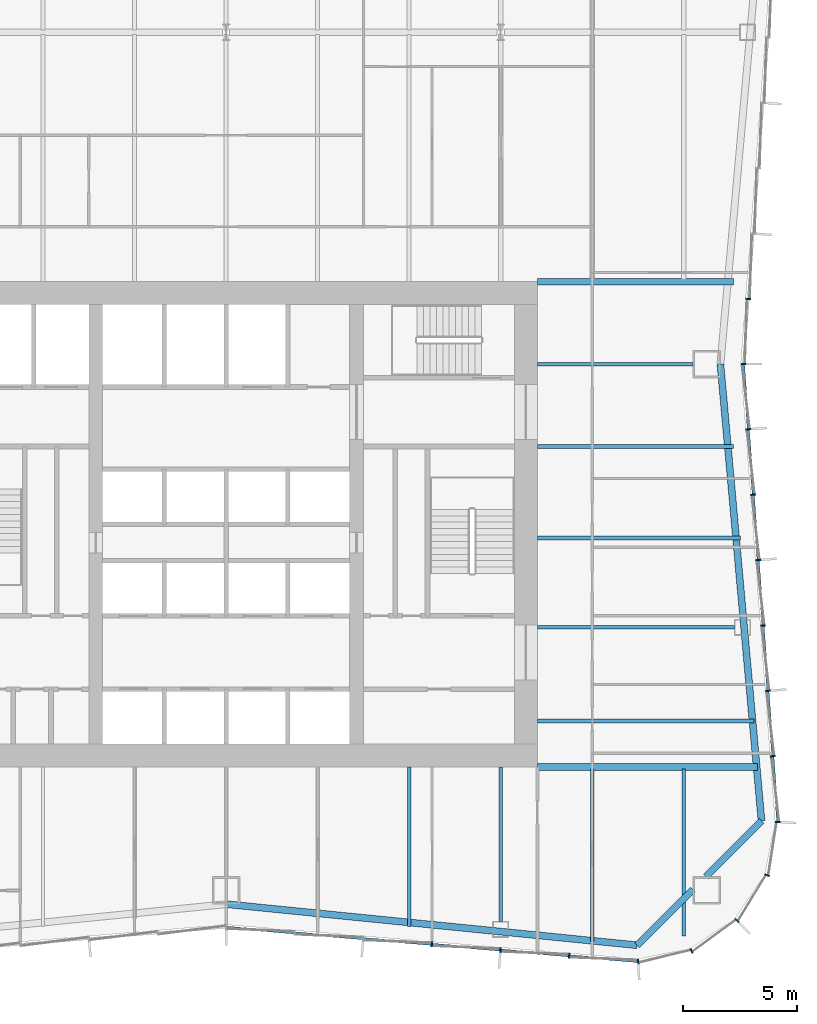
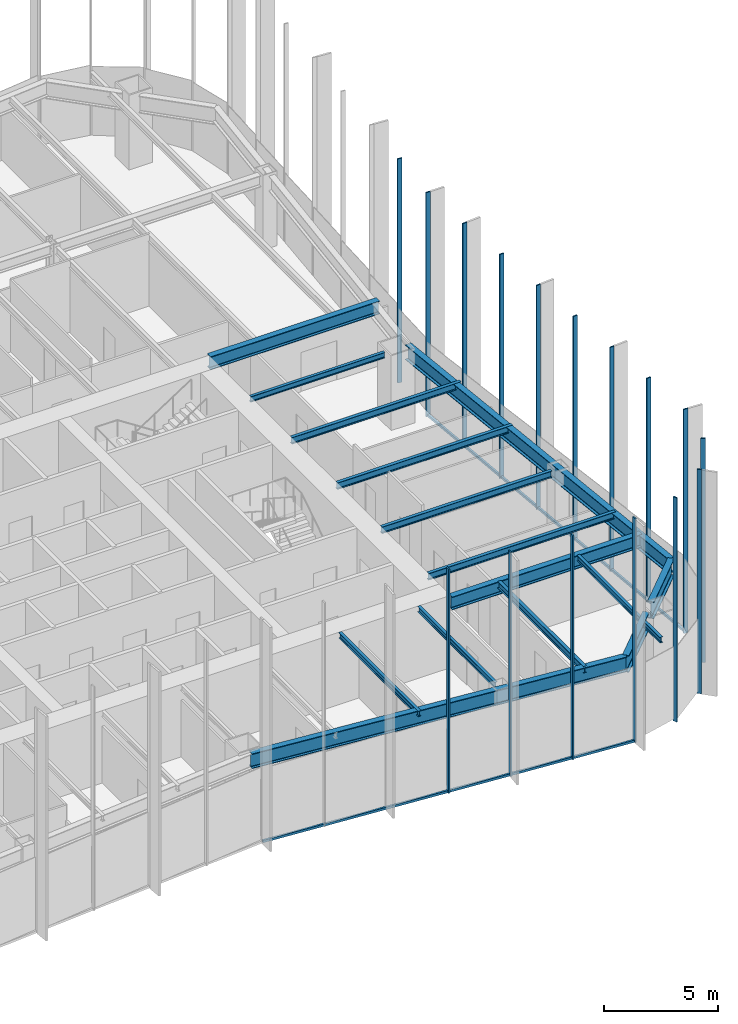
# One storey, part 4 of 14: 18 members, 15 beams, 3 elements without a shape of their own.
"""IFC4 building model written with IfcOpenShell, lengths in metres."""

from ifc_helpers import new_model, si_unit, direction, frame, origin, origin_2d, place, context, subcontext, project, spatial, rectangle, i_section, extrude, material, material_profile, profile_set, type_object, element, aggregate, save


model = new_model("IFC4")

# Units and contexts
model_context = context("Model", 3, precision=1e-05, world=origin(), true_north=direction((0.0, 1.0)))
body_context = subcontext(model_context, "Body", "Model", "MODEL_VIEW")
ifc_project = project(units=[si_unit("LENGTHUNIT", "METRE"), si_unit("AREAUNIT", "SQUARE_METRE"), si_unit("VOLUMEUNIT", "CUBIC_METRE"), si_unit("PLANEANGLEUNIT", "RADIAN"), si_unit("MASSUNIT", "GRAM", prefix="KILO")], contexts=[model_context])

# Site, building, storey
site_placement = place(None, origin())
site = spatial("IfcSite", under=ifc_project, at=site_placement, CompositionType="ELEMENT")
building_placement = place(site_placement, origin())
building = spatial("IfcBuilding", under=site, at=building_placement, Name="Verdant Reach Tower", CompositionType="ELEMENT")
storey_placement = place(building_placement, frame((0.0, 0.0, 150.0)))
storey = spatial("IfcBuildingStorey", under=building, at=storey_placement, Name="L34", CompositionType="ELEMENT", Elevation=150.0)

# Curtain wall, members
ifc_material_1 = material(Name="Anodised aluminium", Category="aluminium")
curtain_wall_type = type_object("IfcCurtainWallType", Name="EN-CW SYSTEM Z2", PredefinedType="NOTDEFINED", material=ifc_material_1)
curtain_wall_1_placement = place(storey_placement, origin())
curtain_wall_1 = element("IfcCurtainWall", 1, at=curtain_wall_1_placement, inside=storey, type_object=curtain_wall_type, Name="Curtain wall south-east corner, L34", PredefinedType="NOTDEFINED")
ifc_material_profile_1 = material_profile(ifc_material_1, rectangle(XDim=0.2119140625, YDim=0.06396484375, at=origin_2d()), Name="Mullion 64x212")
ifc_profile_set_1 = profile_set([ifc_material_profile_1], Name="Anodised aluminium")
member_type_1 = type_object("IfcMemberType", Name="EN-MULLION Z2", PredefinedType="MULLION", material=ifc_profile_set_1)
member_1_placement = place(storey_placement, frame((18.006103515625, 8.894287109375, -0.35009765625), z_axis=(0.0, 0.0, 1.0), x_axis=(0.056569187765, -0.998398681387, 0.0)))
member_1 = element("IfcMember", 2, at=member_1_placement, type_object=member_type_1, Name="Mullion south-east corner 1, L34", PredefinedType="MULLION", context=body_context, shape_type="SweptSolid", body=[
    extrude(rectangle(XDim=0.2119140625, YDim=0.06396484375, at=origin_2d()), origin(), (0.0, 0.0, 1.0), 12.0),
])
member_2_placement = place(storey_placement, frame((20.336669921875, 9.35888671875, -0.35009765625), z_axis=(0.0, 0.0, 1.0), x_axis=(0.382693853776, -0.923875215753, 0.0)))
member_2 = element("IfcMember", 3, at=member_2_placement, type_object=member_type_1, Name="Mullion south-east corner 2, L34", PredefinedType="MULLION", context=body_context, shape_type="SweptSolid", body=[
    extrude(rectangle(XDim=0.2119140625, YDim=0.06396484375, at=origin_2d()), origin(), (0.0, 0.0, 1.0), 12.0),
])
member_3_placement = place(storey_placement, frame((22.317626953125, 10.682373046875, -0.35009765625), z_axis=(0.0, 0.0, 1.0), x_axis=(0.707106781187, -0.707106781187, 0.0)))
member_3 = element("IfcMember", 4, at=member_3_placement, type_object=member_type_1, Name="Mullion south-east corner 3, L34", PredefinedType="MULLION", context=body_context, shape_type="SweptSolid", body=[
    extrude(rectangle(XDim=0.2119140625, YDim=0.06396484375, at=origin_2d()), origin(), (0.0, 0.0, 1.0), 12.0),
])
member_4_placement = place(storey_placement, frame((23.64111328125, 12.663330078125, -0.35009765625), z_axis=(0.0, 0.0, 1.0), x_axis=(0.923875215753, -0.382693853776, 0.0)))
member_4 = element("IfcMember", 5, at=member_4_placement, type_object=member_type_1, Name="Mullion south-east corner 4, L34", PredefinedType="MULLION", context=body_context, shape_type="SweptSolid", body=[
    extrude(rectangle(XDim=0.2119140625, YDim=0.06396484375, at=origin_2d()), origin(), (0.0, 0.0, 1.0), 12.0),
])
aggregate(curtain_wall_1, [member_1, member_2, member_3, member_4])

curtain_wall_2_placement = place(storey_placement, origin())
curtain_wall_2 = element("IfcCurtainWall", 6, at=curtain_wall_2_placement, inside=storey, type_object=curtain_wall_type, Name="Curtain wall east, L34", PredefinedType="NOTDEFINED")
member_5_placement = place(storey_placement, frame((24.105712890625, 14.99365234375, -0.35009765625), z_axis=(0.0, 0.0, 1.0), x_axis=(0.998155887542, -0.060702752526, 0.0)))
member_5 = element("IfcMember", 7, at=member_5_placement, type_object=member_type_1, Name="Mullion east face part 1 1, L34", PredefinedType="MULLION", context=body_context, shape_type="SweptSolid", body=[
    extrude(rectangle(XDim=0.2119140625, YDim=0.06396484375, at=origin_2d()), origin(), (0.0, 0.0, 1.0), 12.0),
])
member_6_placement = place(storey_placement, frame((23.891357421875, 17.864990234375, -0.35009765625), z_axis=(0.0, 0.0, 1.0), x_axis=(0.997199309888, 0.074789948245, 0.0)))
member_6 = element("IfcMember", 8, at=member_6_placement, type_object=member_type_1, Name="Mullion east face part 1 2, L34", PredefinedType="MULLION", context=body_context, shape_type="SweptSolid", body=[
    extrude(rectangle(XDim=0.2119140625, YDim=0.06396484375, at=origin_2d()), origin(), (0.0, 0.0, 1.0), 12.0),
])
member_7_placement = place(storey_placement, frame((23.67724609375, 20.72216796875, -0.35009765625), z_axis=(0.0, 0.0, 1.0), x_axis=(0.997199309888, 0.074789948245, 0.0)))
member_7 = element("IfcMember", 9, at=member_7_placement, type_object=member_type_1, Name="Mullion east face part 1 3, L34", PredefinedType="MULLION", context=body_context, shape_type="SweptSolid", body=[
    extrude(rectangle(XDim=0.2119140625, YDim=0.06396484375, at=origin_2d()), origin(), (0.0, 0.0, 1.0), 12.0),
])
member_8_placement = place(storey_placement, frame((23.462890625, 23.579345703125, -0.35009765625), z_axis=(0.0, 0.0, 1.0), x_axis=(0.997199309888, 0.074789948245, 0.0)))
member_8 = element("IfcMember", 10, at=member_8_placement, type_object=member_type_1, Name="Mullion east face part 1 4, L34", PredefinedType="MULLION", context=body_context, shape_type="SweptSolid", body=[
    extrude(rectangle(XDim=0.2119140625, YDim=0.06396484375, at=origin_2d()), origin(), (0.0, 0.0, 1.0), 12.0),
])
member_9_placement = place(storey_placement, frame((23.24853515625, 26.4365234375, -0.35009765625), z_axis=(0.0, 0.0, 1.0), x_axis=(0.997199309888, 0.074789948245, 0.0)))
member_9 = element("IfcMember", 11, at=member_9_placement, type_object=member_type_1, Name="Mullion east face part 1 5, L34", PredefinedType="MULLION", context=body_context, shape_type="SweptSolid", body=[
    extrude(rectangle(XDim=0.2119140625, YDim=0.06396484375, at=origin_2d()), origin(), (0.0, 0.0, 1.0), 12.0),
])
member_10_placement = place(storey_placement, frame((23.0341796875, 29.293701171875, -0.35009765625), z_axis=(0.0, 0.0, 1.0), x_axis=(0.997199309888, 0.074789948245, 0.0)))
member_10 = element("IfcMember", 12, at=member_10_placement, type_object=member_type_1, Name="Mullion east face part 1 6, L34", PredefinedType="MULLION", context=body_context, shape_type="SweptSolid", body=[
    extrude(rectangle(XDim=0.2119140625, YDim=0.06396484375, at=origin_2d()), origin(), (0.0, 0.0, 1.0), 12.0),
])
member_11_placement = place(storey_placement, frame((22.820068359375, 32.15087890625, -0.35009765625), z_axis=(0.0, 0.0, 1.0), x_axis=(0.997199309888, 0.074789948245, 0.0)))
member_11 = element("IfcMember", 13, at=member_11_placement, type_object=member_type_1, Name="Mullion east face part 1 7, L34", PredefinedType="MULLION", context=body_context, shape_type="SweptSolid", body=[
    extrude(rectangle(XDim=0.2119140625, YDim=0.06396484375, at=origin_2d()), origin(), (0.0, 0.0, 1.0), 12.0),
])
member_12_placement = place(storey_placement, frame((22.60595703125, 35.0, -0.35009765625), z_axis=(0.0, 0.0, 1.0), x_axis=(1.0, 0.0, 0.0)))
member_12 = element("IfcMember", 14, at=member_12_placement, type_object=member_type_1, Name="Mullion east face part 2 1, L34", PredefinedType="MULLION", context=body_context, shape_type="SweptSolid", body=[
    extrude(rectangle(XDim=0.2119140625, YDim=0.06396484375, at=origin_2d()), origin(), (0.0, 0.0, 1.0), 12.0),
])
member_13_placement = place(storey_placement, frame((22.820068359375, 37.84912109375, -0.35009765625), z_axis=(0.0, 0.0, 1.0), x_axis=(0.997199309888, -0.074789948245, 0.0)))
member_13 = element("IfcMember", 15, at=member_13_placement, type_object=member_type_1, Name="Mullion east face part 2 2, L34", PredefinedType="MULLION", context=body_context, shape_type="SweptSolid", body=[
    extrude(rectangle(XDim=0.2119140625, YDim=0.06396484375, at=origin_2d()), origin(), (0.0, 0.0, 1.0), 12.0),
])

curtain_wall_3_placement = place(storey_placement, origin())
curtain_wall_3 = element("IfcCurtainWall", 16, at=curtain_wall_3_placement, inside=storey, type_object=curtain_wall_type, Name="Curtain wall south, L34", PredefinedType="NOTDEFINED")
member_14_placement = place(storey_placement, frame((8.9912109375, 9.644287109375, -0.35009765625), z_axis=(0.0, 0.0, 1.0), x_axis=(-0.083045479859, -0.996545758244, 0.0)))
member_14 = element("IfcMember", 17, at=member_14_placement, type_object=member_type_1, Name="Mullion south face part 2 4, L34", PredefinedType="MULLION", context=body_context, shape_type="SweptSolid", body=[
    extrude(rectangle(XDim=0.2119140625, YDim=0.06396484375, at=origin_2d()), origin(), (0.0, 0.0, 1.0), 12.0),
])
member_15_placement = place(storey_placement, frame((11.9912109375, 9.394287109375, -0.35009765625), z_axis=(0.0, 0.0, 1.0), x_axis=(-0.083045479859, -0.996545758244, 0.0)))
member_15 = element("IfcMember", 18, at=member_15_placement, type_object=member_type_1, Name="Mullion south face part 2 5, L34", PredefinedType="MULLION", context=body_context, shape_type="SweptSolid", body=[
    extrude(rectangle(XDim=0.2119140625, YDim=0.06396484375, at=origin_2d()), origin(), (0.0, 0.0, 1.0), 12.0),
])
member_16_placement = place(storey_placement, frame((14.9912109375, 9.144287109375, -0.35009765625), z_axis=(0.0, 0.0, 1.0), x_axis=(-0.083045479859, -0.996545758244, 0.0)))
member_16 = element("IfcMember", 19, at=member_16_placement, type_object=member_type_1, Name="Mullion south face part 2 6, L34", PredefinedType="MULLION", context=body_context, shape_type="SweptSolid", body=[
    extrude(rectangle(XDim=0.2119140625, YDim=0.06396484375, at=origin_2d()), origin(), (0.0, 0.0, 1.0), 12.0),
])

# Member
ifc_material_profile_2 = material_profile(ifc_material_1, rectangle(XDim=0.10009765625, YDim=0.1240234375, at=origin_2d()), Name="Transom 124x100")
ifc_profile_set_2 = profile_set([ifc_material_profile_2], Name="Anodised aluminium")
member_type_2 = type_object("IfcMemberType", Name="EN-TRANSOM Z2", PredefinedType="USERDEFINED", material=ifc_profile_set_2)
member_17_placement = place(storey_placement, frame((24.103515625, 15.025390625, -0.2880859375), z_axis=(-0.07476111665, 0.997201471839, 0.0), x_axis=(-0.997201471839, -0.07476111665, 0.0)))
member_17 = element("IfcMember", 20, at=member_17_placement, type_object=member_type_2, Name="Transom east face part 1 1.1, L34", ObjectType="TRANSOM", PredefinedType="USERDEFINED", context=body_context, shape_type="SweptSolid", body=[
    extrude(rectangle(XDim=0.10009765625, YDim=0.1240234375, at=origin_2d()), origin(), (0.0, 0.0, 1.0), 19.99853515625),
])

aggregate(curtain_wall_2, [member_5, member_6, member_7, member_8, member_9, member_10, member_11, member_17, member_12, member_13])

member_18_placement = place(storey_placement, frame((0.031982421875, 10.391357421875, -0.2880859375), z_axis=(0.996548282776, -0.083015179915, 0.0), x_axis=(0.083015179915, 0.996548282776, 0.0)))
member_18 = element("IfcMember", 21, at=member_18_placement, type_object=member_type_2, Name="Transom south face part 2 1.1, L34", ObjectType="TRANSOM", PredefinedType="USERDEFINED", context=body_context, shape_type="SweptSolid", body=[
    extrude(rectangle(XDim=0.10009765625, YDim=0.1240234375, at=origin_2d()), origin(), (0.0, 0.0, 1.0), 18.00439453125),
])

aggregate(curtain_wall_3, [member_14, member_15, member_16, member_18])

# Beams
ifc_material_2 = material(Name="Steel S355", Category="steel")
ifc_material_profile_3 = material_profile(ifc_material_2, i_section(OverallWidth=0.300048828125, OverallDepth=0.699951171875, WebThickness=0.01708984375, FlangeThickness=0.031982421875, FilletRadius=0.027099609375, at=origin_2d()), Name="HEB 700")
ifc_profile_set_3 = profile_set([ifc_material_profile_3], Name="Steel S355")
beam_type_1 = type_object("IfcBeamType", Name="ST-BEAM-HEB700", PredefinedType="BEAM", material=ifc_profile_set_3)
beam_1_placement = place(storey_placement, frame((13.60009765625, 38.60009765625, 3.52001953125), z_axis=(1.0, 0.0, 0.0), x_axis=(0.0, 1.0, 0.0)))
element("IfcBeam", 22, at=beam_1_placement, inside=storey, type_object=beam_type_1, Name="Trimmer beam, L34", PredefinedType="BEAM", context=body_context, shape_type="SweptSolid", body=[
    extrude(i_section(OverallWidth=0.300048828125, OverallDepth=0.699951171875, WebThickness=0.01708984375, FlangeThickness=0.031982421875, FilletRadius=0.027099609375, at=origin_2d()), origin(), (0.0, 0.0, 1.0), 8.568115234375),
])
beam_2_placement = place(storey_placement, frame((13.60009765625, 17.39990234375, 3.52001953125), z_axis=(1.0, 0.0, 0.0), x_axis=(0.0, 1.0, 0.0)))
element("IfcBeam", 23, at=beam_2_placement, inside=storey, type_object=beam_type_1, Name="Trimmer beam, L34", PredefinedType="BEAM", context=body_context, shape_type="SweptSolid", body=[
    extrude(i_section(OverallWidth=0.300048828125, OverallDepth=0.699951171875, WebThickness=0.01708984375, FlangeThickness=0.031982421875, FilletRadius=0.027099609375, at=origin_2d()), origin(), (0.0, 0.0, 1.0), 9.6181640625),
])
ifc_material_profile_4 = material_profile(ifc_material_2, i_section(OverallWidth=0.14990234375, OverallDepth=0.300048828125, WebThickness=0.007080078125, FlangeThickness=0.0107421875, FilletRadius=0.014892578125, at=origin_2d()), Name="IPE 300")
ifc_profile_set_4 = profile_set([ifc_material_profile_4], Name="Steel S355")
beam_type_2 = type_object("IfcBeamType", Name="ST-JOIST-IPE300", PredefinedType="JOIST", material=ifc_profile_set_4)
beam_3_placement = place(storey_placement, frame((8.0, 17.39990234375, 3.719970703125), z_axis=(0.0, -1.0, 0.0), x_axis=(1.0, 0.0, 0.0)))
element("IfcBeam", 24, at=beam_3_placement, inside=storey, type_object=beam_type_2, Name="Floor joist, L34", PredefinedType="JOIST", context=body_context, shape_type="SweptSolid", body=[
    extrude(i_section(OverallWidth=0.14990234375, OverallDepth=0.300048828125, WebThickness=0.007080078125, FlangeThickness=0.0107421875, FilletRadius=0.014892578125, at=origin_2d()), origin(), (0.0, 0.0, 1.0), 6.964599609375),
])
beam_4_placement = place(storey_placement, frame((12.0, 17.39990234375, 3.719970703125), z_axis=(0.0, -1.0, 0.0), x_axis=(1.0, 0.0, 0.0)))
element("IfcBeam", 25, at=beam_4_placement, inside=storey, type_object=beam_type_2, Name="Floor joist, L34", PredefinedType="JOIST", context=body_context, shape_type="SweptSolid", body=[
    extrude(i_section(OverallWidth=0.14990234375, OverallDepth=0.300048828125, WebThickness=0.007080078125, FlangeThickness=0.0107421875, FilletRadius=0.014892578125, at=origin_2d()), origin(), (0.0, 0.0, 1.0), 6.75),
])
beam_5_placement = place(storey_placement, frame((20.0, 17.300048828125, 3.719970703125), z_axis=(0.0, -1.0, 0.0), x_axis=(1.0, 0.0, 0.0)))
element("IfcBeam", 26, at=beam_5_placement, inside=storey, type_object=beam_type_2, Name="Floor joist, L34", PredefinedType="JOIST", context=body_context, shape_type="SweptSolid", body=[
    extrude(i_section(OverallWidth=0.14990234375, OverallDepth=0.300048828125, WebThickness=0.007080078125, FlangeThickness=0.0107421875, FilletRadius=0.014892578125, at=origin_2d()), origin(), (0.0, 0.0, 1.0), 7.29052734375),
])
beam_6_placement = place(storey_placement, frame((13.60009765625, 35.0, 3.719970703125), z_axis=(1.0, 0.0, 0.0), x_axis=(0.0, 1.0, 0.0)))
element("IfcBeam", 27, at=beam_6_placement, inside=storey, type_object=beam_type_2, Name="Floor joist, L34", PredefinedType="JOIST", context=body_context, shape_type="SweptSolid", body=[
    extrude(i_section(OverallWidth=0.14990234375, OverallDepth=0.300048828125, WebThickness=0.007080078125, FlangeThickness=0.0107421875, FilletRadius=0.014892578125, at=origin_2d()), origin(), (0.0, 0.0, 1.0), 6.7998046875),
])
ifc_material_profile_5 = material_profile(ifc_material_2, i_section(OverallWidth=0.169921875, OverallDepth=0.360107421875, WebThickness=0.008056640625, FlangeThickness=0.0126953125, FilletRadius=0.01806640625, at=origin_2d()), Name="IPE 360")
ifc_profile_set_5 = profile_set([ifc_material_profile_5], Name="Steel S355")
beam_type_3 = type_object("IfcBeamType", Name="ST-JOIST-IPE360", PredefinedType="JOIST", material=ifc_profile_set_5)
beam_7_placement = place(storey_placement, frame((16.0, 17.300048828125, 3.68994140625), z_axis=(0.0, -1.0, 0.0), x_axis=(1.0, 0.0, 0.0)))
element("IfcBeam", 28, at=beam_7_placement, inside=storey, type_object=beam_type_3, Name="Floor joist, L34", PredefinedType="JOIST", context=body_context, shape_type="SweptSolid", body=[
    extrude(i_section(OverallWidth=0.169921875, OverallDepth=0.360107421875, WebThickness=0.008056640625, FlangeThickness=0.0126953125, FilletRadius=0.01806640625, at=origin_2d()), origin(), (0.0, 0.0, 1.0), 7.53125),
])
beam_8_placement = place(storey_placement, frame((13.60009765625, 19.39990234375, 3.68994140625), z_axis=(1.0, 0.0, 0.0), x_axis=(0.0, 1.0, 0.0)))
element("IfcBeam", 29, at=beam_8_placement, inside=storey, type_object=beam_type_3, Name="Floor joist, L34", PredefinedType="JOIST", context=body_context, shape_type="SweptSolid", body=[
    extrude(i_section(OverallWidth=0.169921875, OverallDepth=0.360107421875, WebThickness=0.008056640625, FlangeThickness=0.0126953125, FilletRadius=0.01806640625, at=origin_2d()), origin(), (0.0, 0.0, 1.0), 9.46826171875),
])
beam_9_placement = place(storey_placement, frame((13.60009765625, 23.5, 3.68994140625), z_axis=(1.0, 0.0, 0.0), x_axis=(0.0, 1.0, 0.0)))
element("IfcBeam", 30, at=beam_9_placement, inside=storey, type_object=beam_type_3, Name="Floor joist, L34", PredefinedType="JOIST", context=body_context, shape_type="SweptSolid", body=[
    extrude(i_section(OverallWidth=0.169921875, OverallDepth=0.360107421875, WebThickness=0.008056640625, FlangeThickness=0.0126953125, FilletRadius=0.01806640625, at=origin_2d()), origin(), (0.0, 0.0, 1.0), 8.6123046875),
])
beam_10_placement = place(storey_placement, frame((13.60009765625, 27.39990234375, 3.68994140625), z_axis=(1.0, 0.0, 0.0), x_axis=(0.0, 1.0, 0.0)))
element("IfcBeam", 31, at=beam_10_placement, inside=storey, type_object=beam_type_3, Name="Floor joist, L34", PredefinedType="JOIST", context=body_context, shape_type="SweptSolid", body=[
    extrude(i_section(OverallWidth=0.169921875, OverallDepth=0.360107421875, WebThickness=0.008056640625, FlangeThickness=0.0126953125, FilletRadius=0.01806640625, at=origin_2d()), origin(), (0.0, 0.0, 1.0), 8.8681640625),
])
beam_11_placement = place(storey_placement, frame((13.60009765625, 31.39990234375, 3.68994140625), z_axis=(1.0, 0.0, 0.0), x_axis=(0.0, 1.0, 0.0)))
element("IfcBeam", 32, at=beam_11_placement, inside=storey, type_object=beam_type_3, Name="Floor joist, L34", PredefinedType="JOIST", context=body_context, shape_type="SweptSolid", body=[
    extrude(i_section(OverallWidth=0.169921875, OverallDepth=0.360107421875, WebThickness=0.008056640625, FlangeThickness=0.0126953125, FilletRadius=0.01806640625, at=origin_2d()), origin(), (0.0, 0.0, 1.0), 8.568115234375),
])
ifc_material_profile_6 = material_profile(ifc_material_2, i_section(OverallWidth=0.300048828125, OverallDepth=0.800048828125, WebThickness=0.017578125, FlangeThickness=0.032958984375, FilletRadius=0.030029296875, at=origin_2d()), Name="HEB 800")
ifc_profile_set_6 = profile_set([ifc_material_profile_6], Name="Steel S355")
beam_type_4 = type_object("IfcBeamType", Name="ST-SPANDREL-HEB800", PredefinedType="SPANDREL", material=ifc_profile_set_6)
beam_12_placement = place(storey_placement, frame((17.9658203125, 9.60498046875, 3.469970703125), z_axis=(-0.995046289869, 0.099412680371, 0.0), x_axis=(-0.099412680371, -0.995046289869, 0.0)))
element("IfcBeam", 33, at=beam_12_placement, inside=storey, type_object=beam_type_4, Name="Edge beam, L34", PredefinedType="SPANDREL", context=body_context, shape_type="SweptSolid", body=[
    extrude(i_section(OverallWidth=0.300048828125, OverallDepth=0.800048828125, WebThickness=0.017578125, FlangeThickness=0.032958984375, FilletRadius=0.030029296875, at=origin_2d()), origin(), (0.0, 0.0, 1.0), 18.05517578125),
])
beam_13_placement = place(storey_placement, frame((21.60009765625, 35.0, 3.469970703125), z_axis=(0.089574749266, -0.995980102358, 0.0), x_axis=(0.995980102358, 0.089574749266, 0.0)))
element("IfcBeam", 34, at=beam_13_placement, inside=storey, type_object=beam_type_4, Name="Edge beam, L34", PredefinedType="SPANDREL", context=body_context, shape_type="SweptSolid", body=[
    extrude(i_section(OverallWidth=0.300048828125, OverallDepth=0.800048828125, WebThickness=0.017578125, FlangeThickness=0.032958984375, FilletRadius=0.030029296875, at=origin_2d()), origin(), (0.0, 0.0, 1.0), 20.043701171875),
])
ifc_material_profile_7 = material_profile(ifc_material_2, i_section(OverallWidth=0.302001953125, OverallDepth=0.909912109375, WebThickness=0.02099609375, FlangeThickness=0.0400390625, FilletRadius=0.030029296875, at=origin_2d()), Name="HEM 900")
ifc_profile_set_7 = profile_set([ifc_material_profile_7], Name="Steel S355")
beam_type_5 = type_object("IfcBeamType", Name="ST-SPANDREL-HEM900", PredefinedType="SPANDREL", material=ifc_profile_set_7)
beam_14_placement = place(storey_placement, frame((23.3955078125, 15.036865234375, 3.4150390625), z_axis=(-0.706965048022, -0.707248485948, 0.0), x_axis=(0.707248485948, -0.706965048022, 0.0)))
element("IfcBeam", 35, at=beam_14_placement, inside=storey, type_object=beam_type_5, Name="Edge beam, L34", PredefinedType="SPANDREL", context=body_context, shape_type="SweptSolid", body=[
    extrude(i_section(OverallWidth=0.302001953125, OverallDepth=0.909912109375, WebThickness=0.02099609375, FlangeThickness=0.0400390625, FilletRadius=0.030029296875, at=origin_2d()), origin(), (0.0, 0.0, 1.0), 3.4453125),
])
beam_15_placement = place(storey_placement, frame((20.39990234375, 12.0400390625, 3.4150390625), z_axis=(-0.70696494852, -0.70724858541, 0.0), x_axis=(0.70724858541, -0.70696494852, 0.0)))
element("IfcBeam", 36, at=beam_15_placement, inside=storey, type_object=beam_type_5, Name="Edge beam, L34", PredefinedType="SPANDREL", context=body_context, shape_type="SweptSolid", body=[
    extrude(i_section(OverallWidth=0.302001953125, OverallDepth=0.909912109375, WebThickness=0.02099609375, FlangeThickness=0.0400390625, FilletRadius=0.030029296875, at=origin_2d()), origin(), (0.0, 0.0, 1.0), 3.443115234375),
])

save(model, "model.ifc")
